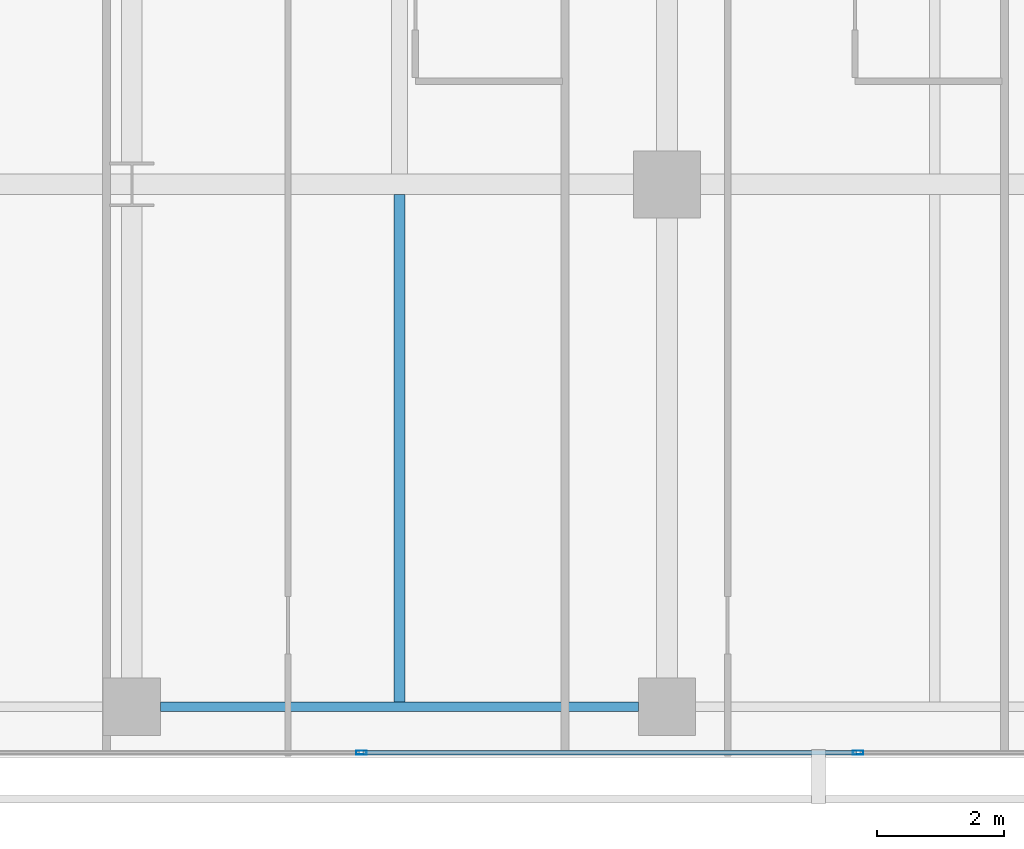
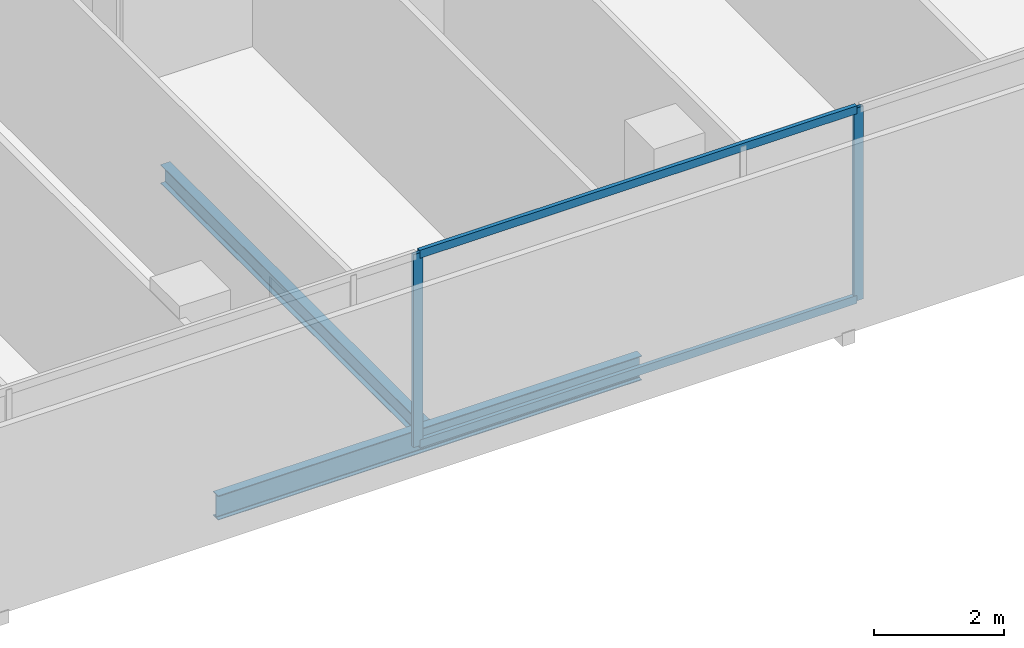
# One storey, part 14 of 40: 4 members, 2 beams, 1 element without a shape of its own.
"""IFC4 building model written with IfcOpenShell, lengths in metres."""

from ifc_helpers import new_model, si_unit, direction, frame, origin, origin_2d, place, context, subcontext, project, spatial, hollow_rectangle, i_section, extrude, material, layer, layer_set, material_profile, profile_set, type_object, element, aggregate, save


model = new_model("IFC4")

# Units and contexts
model_context = context("Model", 3, precision=1e-05, world=origin(), true_north=direction((0.0, 1.0)))
body_context = subcontext(model_context, "Body", "Model", "MODEL_VIEW")
ifc_project = project(units=[si_unit("LENGTHUNIT", "METRE"), si_unit("AREAUNIT", "SQUARE_METRE"), si_unit("VOLUMEUNIT", "CUBIC_METRE"), si_unit("PLANEANGLEUNIT", "RADIAN"), si_unit("MASSUNIT", "GRAM", prefix="KILO")], contexts=[model_context])

# Site, building, storey
site_placement = place(None, origin())
site = spatial("IfcSite", under=ifc_project, at=site_placement, CompositionType="ELEMENT")
building_placement = place(site_placement, origin())
building = spatial("IfcBuilding", under=site, at=building_placement, Name="Maruvema Waterfront Hotel and Observation Tower", CompositionType="ELEMENT")
storey_placement = place(building_placement, frame((0.0, 0.0, 77.0)))
storey = spatial("IfcBuildingStorey", under=building, at=storey_placement, Name="L18", CompositionType="ELEMENT", Elevation=77.0)

# Curtain wall, members
ifc_material_1 = material(Name="Anodised bronze aluminium and solar-control low-E IGU", Category="aluminium")
ifc_layer = layer(ifc_material_1, 0.159912109375, Name="Zone 1 Bronze Inner Thermal Curtain Wall System CW-02")
ifc_layer_set = layer_set([ifc_layer], Name="Anodised bronze aluminium and solar-control low-E IGU")
curtain_wall_type = type_object("IfcCurtainWallType", Name="Zone 1 Bronze Inner Thermal Curtain Wall System CW-02", PredefinedType="USERDEFINED", material=ifc_layer_set)
curtain_wall_placement = place(storey_placement, origin())
curtain_wall = element("IfcCurtainWall", 1, at=curtain_wall_placement, inside=storey, type_object=curtain_wall_type, Name="L18 Curtain Wall CW-L18-S", ObjectType="UNITISED CURTAIN WALL", PredefinedType="USERDEFINED")
ifc_material_2 = material(Name="Anodised architectural bronze aluminium", Category="aluminium")
ifc_material_profile_1 = material_profile(ifc_material_2, hollow_rectangle(XDim=0.070068359375, YDim=0.14990234375, WallThickness=0.00390625, at=origin_2d()), Name="ALU-T70x150")
ifc_profile_set_1 = profile_set([ifc_material_profile_1], Name="Anodised architectural bronze aluminium")
member_type_1 = type_object("IfcMemberType", Name="Curtain Wall Horizontal Transom ALU-T70x150", PredefinedType="USERDEFINED", material=ifc_profile_set_1)
member_1_placement = place(storey_placement, frame((45.6298828125, 0.080078125, 0.030029296875), z_axis=(1.0, 0.0, 0.0), x_axis=(0.0, 1.0, 0.0)))
member_1 = element("IfcMember", 2, at=member_1_placement, type_object=member_type_1, Name="CW-02 transom 5.1", ObjectType="TRANSOM", PredefinedType="USERDEFINED", context=body_context, shape_type="SweptSolid", body=[
    extrude(hollow_rectangle(XDim=0.070068359375, YDim=0.14990234375, WallThickness=0.00390625, at=origin_2d()), origin(), (0.0, 0.0, 1.0), 7.740234375),
])
member_2_placement = place(storey_placement, frame((45.6298828125, 0.080078125, 3.580078125), z_axis=(1.0, 0.0, 0.0), x_axis=(0.0, 1.0, 0.0)))
member_2 = element("IfcMember", 3, at=member_2_placement, type_object=member_type_1, Name="CW-02 transom 5.2", ObjectType="TRANSOM", PredefinedType="USERDEFINED", context=body_context, shape_type="SweptSolid", body=[
    extrude(hollow_rectangle(XDim=0.070068359375, YDim=0.14990234375, WallThickness=0.00390625, at=origin_2d()), origin(), (0.0, 0.0, 1.0), 7.740234375),
])
ifc_material_3 = material(Name="Anodised architectural bronze aluminium", Category="aluminium")
ifc_material_profile_2 = material_profile(ifc_material_3, hollow_rectangle(XDim=0.06494140625, YDim=0.1650390625, WallThickness=0.00390625, at=origin_2d()), Name="ALU-M65x165")
ifc_profile_set_2 = profile_set([ifc_material_profile_2], Name="Anodised architectural bronze aluminium")
member_type_2 = type_object("IfcMemberType", Name="Curtain Wall Primary Mullion ALU-M65x165", PredefinedType="MULLION", material=ifc_profile_set_2)
member_3_placement = place(storey_placement, frame((45.60009765625, 0.080078125, 0.0), z_axis=(0.0, 0.0, 1.0), x_axis=(0.0, 1.0, 0.0)))
member_3 = element("IfcMember", 4, at=member_3_placement, type_object=member_type_2, Name="CW-02 mullion 5", PredefinedType="MULLION", context=body_context, shape_type="SweptSolid", body=[
    extrude(hollow_rectangle(XDim=0.06494140625, YDim=0.1650390625, WallThickness=0.00390625, at=origin_2d()), origin(), (0.0, 0.0, 1.0), 3.610107421875),
])
member_4_placement = place(storey_placement, frame((53.39990234375, 0.080078125, 0.0), z_axis=(0.0, 0.0, 1.0), x_axis=(0.0, 1.0, 0.0)))
member_4 = element("IfcMember", 5, at=member_4_placement, type_object=member_type_2, Name="CW-02 mullion 6", PredefinedType="MULLION", context=body_context, shape_type="SweptSolid", body=[
    extrude(hollow_rectangle(XDim=0.06494140625, YDim=0.1650390625, WallThickness=0.00390625, at=origin_2d()), origin(), (0.0, 0.0, 1.0), 3.610107421875),
])
aggregate(curtain_wall, [member_3, member_4, member_1, member_2])

# Beams
ifc_material_4 = material(Name="Steel ASTM A572 Grade 50", Category="steel")
ifc_material_profile_3 = material_profile(ifc_material_4, i_section(OverallWidth=0.153076171875, OverallDepth=0.455078125, WebThickness=0.008056640625, FlangeThickness=0.01318359375, FilletRadius=0.014892578125, at=origin_2d()), Name="W460x60.0")
ifc_profile_set_3 = profile_set([ifc_material_profile_3], Name="Steel ASTM A572 Grade 50")
beam_type_1 = type_object("IfcBeamType", Name="Perimeter Spandrel Beam W460x60.0", PredefinedType="SPANDREL", material=ifc_profile_set_3)
beam_1_placement = place(storey_placement, frame((42.449951171875, 0.800048828125, -0.467529296875), z_axis=(1.0, 0.0, 0.0), x_axis=(0.0, 1.0, 0.0)))
element("IfcBeam", 6, at=beam_1_placement, inside=storey, type_object=beam_type_1, Name="L18 Floor Girder EW-04", PredefinedType="SPANDREL", context=body_context, shape_type="SweptSolid", body=[
    extrude(i_section(OverallWidth=0.153076171875, OverallDepth=0.455078125, WebThickness=0.008056640625, FlangeThickness=0.01318359375, FilletRadius=0.014892578125, at=origin_2d()), origin(), (0.0, 0.0, 1.0), 7.5),
])
ifc_material_5 = material(Name="Steel ASTM A572 Grade 50", Category="steel")
ifc_material_profile_4 = material_profile(ifc_material_5, i_section(OverallWidth=0.1708984375, OverallDepth=0.35498046875, WebThickness=0.007080078125, FlangeThickness=0.01171875, FilletRadius=0.014892578125, at=origin_2d()), Name="W360x51.0")
ifc_profile_set_4 = profile_set([ifc_material_profile_4], Name="Steel ASTM A572 Grade 50")
beam_type_2 = type_object("IfcBeamType", Name="Secondary Floor Joist W360x51.0", PredefinedType="JOIST", material=ifc_profile_set_4)
beam_2_placement = place(storey_placement, frame((46.199951171875, 0.87646484375, -0.41748046875), z_axis=(0.0, 1.0, 0.0), x_axis=(-1.0, 0.0, 0.0)))
element("IfcBeam", 7, at=beam_2_placement, inside=storey, type_object=beam_type_2, Name="L18 Secondary Floor Joist JS-14", PredefinedType="JOIST", context=body_context, shape_type="SweptSolid", body=[
    extrude(i_section(OverallWidth=0.1708984375, OverallDepth=0.35498046875, WebThickness=0.007080078125, FlangeThickness=0.01171875, FilletRadius=0.014892578125, at=origin_2d()), origin(), (0.0, 0.0, 1.0), 7.96142578125),
])

save(model, "model.ifc")
